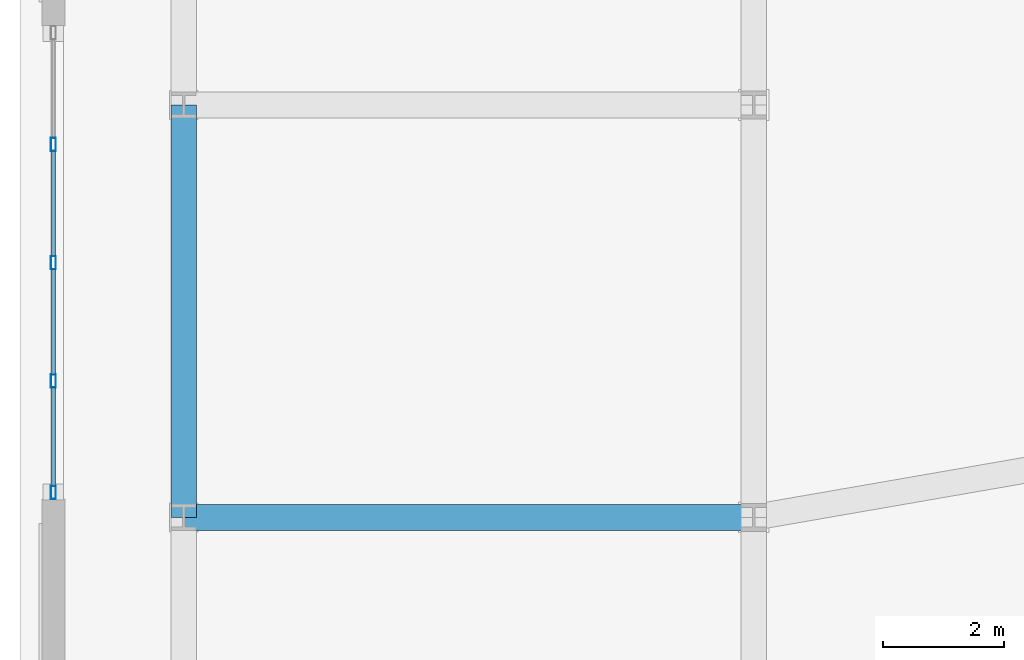
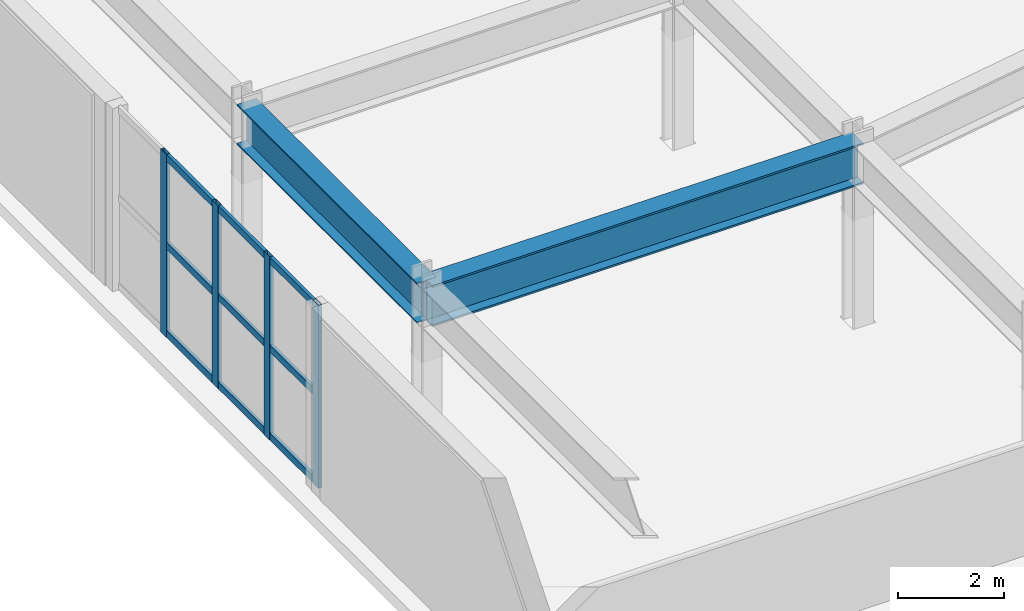
# One storey, part 4 of 21: 13 members, 2 beams, 1 element without a shape of its own.
"""IFC4 building model written with IfcOpenShell, lengths in metres."""

from ifc_helpers import new_model, si_unit, direction, frame, origin, origin_2d, place, context, subcontext, project, spatial, hollow_rectangle, i_section, extrude, material, layer, layer_set, material_profile, profile_set, type_object, element, aggregate, save


model = new_model("IFC4")

# Units and contexts
model_context = context("Model", 3, precision=1e-05, world=origin(), true_north=direction((0.0, 1.0)))
body_context = subcontext(model_context, "Body", "Model", "MODEL_VIEW")
ifc_project = project(units=[si_unit("LENGTHUNIT", "METRE"), si_unit("AREAUNIT", "SQUARE_METRE"), si_unit("VOLUMEUNIT", "CUBIC_METRE"), si_unit("PLANEANGLEUNIT", "RADIAN"), si_unit("MASSUNIT", "GRAM", prefix="KILO")], contexts=[model_context])

# Site, building, storey
site_placement = place(None, origin())
site = spatial("IfcSite", under=ifc_project, at=site_placement, CompositionType="ELEMENT")
building_placement = place(site_placement, origin())
building = spatial("IfcBuilding", under=site, at=building_placement, Name="Oramaril Tower", CompositionType="ELEMENT")
storey_placement = place(building_placement, frame((0.0, 0.0, 5.39990234375)))
storey = spatial("IfcBuildingStorey", under=building, at=storey_placement, Name="L01", CompositionType="ELEMENT", Elevation=5.39990234375)

# Beams
ifc_material_1 = material(Name="Steel ASTM A572 Gr 50", Category="steel")
ifc_material_profile_1 = material_profile(ifc_material_1, i_section(OverallWidth=0.424072265625, OverallDepth=0.947021484375, WebThickness=0.02392578125, FlangeThickness=0.042724609375, at=origin_2d()), Name="W36X302")
ifc_profile_set_1 = profile_set([ifc_material_profile_1], Name="Steel ASTM A572 Gr 50")
beam_type_1 = type_object("IfcBeamType", Name="BT-PG1", PredefinedType="BEAM", material=ifc_profile_set_1)
beam_1_placement = place(storey_placement, frame((-0.800048828125, 18.60009765625, 3.74658203125), z_axis=(1.0, 0.0, 0.0), x_axis=(0.0, 1.0, 0.0)))
element("IfcBeam", 1, at=beam_1_placement, inside=storey, type_object=beam_type_1, Name="L01 Wing Transverse Girder 02", PredefinedType="BEAM", context=body_context, shape_type="SweptSolid", body=[
    extrude(i_section(OverallWidth=0.424072265625, OverallDepth=0.947021484375, WebThickness=0.02392578125, FlangeThickness=0.042724609375, at=origin_2d()), origin(), (0.0, 0.0, 1.0), 9.400146484375),
])
ifc_material_2 = material(Name="Steel ASTM A572 Gr 50", Category="steel")
ifc_material_profile_2 = material_profile(ifc_material_2, i_section(OverallWidth=0.4189453125, OverallDepth=0.927001953125, WebThickness=0.019287109375, FlangeThickness=0.031982421875, at=origin_2d()), Name="W36X231")
ifc_profile_set_2 = profile_set([ifc_material_profile_2], Name="Steel ASTM A572 Gr 50")
beam_type_2 = type_object("IfcBeamType", Name="BT-PG2", PredefinedType="BEAM", material=ifc_profile_set_2)
beam_2_placement = place(storey_placement, frame((-0.800048828125, 18.60009765625, 3.756591796875), z_axis=(0.0, 1.0, 0.0), x_axis=(-1.0, 0.0, 0.0)))
element("IfcBeam", 2, at=beam_2_placement, inside=storey, type_object=beam_type_2, Name="L01 Wing Perimeter Girder 02", PredefinedType="BEAM", context=body_context, shape_type="SweptSolid", body=[
    extrude(i_section(OverallWidth=0.4189453125, OverallDepth=0.927001953125, WebThickness=0.019287109375, FlangeThickness=0.031982421875, at=origin_2d()), origin(), (0.0, 0.0, 1.0), 6.7998046875),
])

# Curtain wall, members
ifc_material_3 = material(Name="Anodised Aluminium 6063-T6", Category="aluminium")
ifc_layer = layer(ifc_material_3, 0.219970703125)
ifc_layer_set = layer_set([ifc_layer], Name="CWT-SYS1")
curtain_wall_type = type_object("IfcCurtainWallType", Name="CWT-SYS1", PredefinedType="NOTDEFINED", material=ifc_layer_set)
curtain_wall_placement = place(storey_placement, origin())
curtain_wall = element("IfcCurtainWall", 3, at=curtain_wall_placement, inside=storey, type_object=curtain_wall_type, Name="L01 Unitised Curtain Wall CW-1", PredefinedType="NOTDEFINED")
ifc_material_4 = material(Name="Anodised Aluminium 6063-T6", Category="aluminium")
ifc_material_profile_3 = material_profile(ifc_material_4, hollow_rectangle(XDim=0.080078125, YDim=0.219970703125, WallThickness=0.00390625, at=origin_2d()), Name="CWM220X80")
ifc_profile_set_3 = profile_set([ifc_material_profile_3], Name="Anodised Aluminium 6063-T6")
member_type_1 = type_object("IfcMemberType", Name="MT-CWM1", PredefinedType="MULLION", material=ifc_profile_set_3)
member_1_placement = place(storey_placement, frame((-2.949951171875, 24.75, 0.0), z_axis=(0.0, 0.0, 1.0), x_axis=(1.0, 0.0, 0.0)))
member_1 = element("IfcMember", 4, at=member_1_placement, type_object=member_type_1, Name="CW-1 mullion 2", PredefinedType="MULLION", context=body_context, shape_type="SweptSolid", body=[
    extrude(hollow_rectangle(XDim=0.080078125, YDim=0.219970703125, WallThickness=0.00390625, at=origin_2d()), origin(), (0.0, 0.0, 1.0), 4.22021484375),
])
member_2_placement = place(storey_placement, frame((-2.949951171875, 22.800048828125, 0.0), z_axis=(0.0, 0.0, 1.0), x_axis=(1.0, 0.0, 0.0)))
member_2 = element("IfcMember", 5, at=member_2_placement, type_object=member_type_1, Name="CW-1 mullion 3", PredefinedType="MULLION", context=body_context, shape_type="SweptSolid", body=[
    extrude(hollow_rectangle(XDim=0.080078125, YDim=0.219970703125, WallThickness=0.00390625, at=origin_2d()), origin(), (0.0, 0.0, 1.0), 4.22021484375),
])
member_3_placement = place(storey_placement, frame((-2.949951171875, 20.85009765625, 0.0), z_axis=(0.0, 0.0, 1.0), x_axis=(1.0, 0.0, 0.0)))
member_3 = element("IfcMember", 6, at=member_3_placement, type_object=member_type_1, Name="CW-1 mullion 4", PredefinedType="MULLION", context=body_context, shape_type="SweptSolid", body=[
    extrude(hollow_rectangle(XDim=0.080078125, YDim=0.219970703125, WallThickness=0.00390625, at=origin_2d()), origin(), (0.0, 0.0, 1.0), 4.22021484375),
])
member_4_placement = place(storey_placement, frame((-2.949951171875, 19.010009765625, 0.0), z_axis=(0.0, 0.0, 1.0), x_axis=(1.0, 0.0, 0.0)))
member_4 = element("IfcMember", 7, at=member_4_placement, type_object=member_type_1, Name="CW-1 mullion 5", PredefinedType="MULLION", context=body_context, shape_type="SweptSolid", body=[
    extrude(hollow_rectangle(XDim=0.080078125, YDim=0.219970703125, WallThickness=0.00390625, at=origin_2d()), origin(), (0.0, 0.0, 1.0), 4.22021484375),
])
ifc_material_5 = material(Name="Anodised Aluminium 6063-T6", Category="aluminium")
ifc_material_profile_4 = material_profile(ifc_material_5, hollow_rectangle(XDim=0.070068359375, YDim=0.159912109375, WallThickness=0.00390625, at=origin_2d()), Name="CWT160X70")
ifc_profile_set_4 = profile_set([ifc_material_profile_4], Name="Anodised Aluminium 6063-T6")
member_type_2 = type_object("IfcMemberType", Name="MT-CWT1", PredefinedType="USERDEFINED", material=ifc_profile_set_4)
member_5_placement = place(storey_placement, frame((-2.949951171875, 24.639892578125, 0.080078125), z_axis=(0.0, -1.0, 0.0), x_axis=(1.0, 0.0, 0.0)))
member_5 = element("IfcMember", 8, at=member_5_placement, type_object=member_type_2, Name="CW-1 transom 2.1", ObjectType="TRANSOM", PredefinedType="USERDEFINED", context=body_context, shape_type="SweptSolid", body=[
    extrude(hollow_rectangle(XDim=0.070068359375, YDim=0.159912109375, WallThickness=0.00390625, at=origin_2d()), origin(), (0.0, 0.0, 1.0), 1.72998046875),
])
member_6_placement = place(storey_placement, frame((-2.949951171875, 24.639892578125, 2.110107421875), z_axis=(0.0, -1.0, 0.0), x_axis=(1.0, 0.0, 0.0)))
member_6 = element("IfcMember", 9, at=member_6_placement, type_object=member_type_2, Name="CW-1 transom 2.2", ObjectType="TRANSOM", PredefinedType="USERDEFINED", context=body_context, shape_type="SweptSolid", body=[
    extrude(hollow_rectangle(XDim=0.070068359375, YDim=0.159912109375, WallThickness=0.00390625, at=origin_2d()), origin(), (0.0, 0.0, 1.0), 1.72998046875),
])
member_7_placement = place(storey_placement, frame((-2.949951171875, 24.639892578125, 4.14013671875), z_axis=(0.0, -1.0, 0.0), x_axis=(1.0, 0.0, 0.0)))
member_7 = element("IfcMember", 10, at=member_7_placement, type_object=member_type_2, Name="CW-1 transom 2.3", ObjectType="TRANSOM", PredefinedType="USERDEFINED", context=body_context, shape_type="SweptSolid", body=[
    extrude(hollow_rectangle(XDim=0.070068359375, YDim=0.159912109375, WallThickness=0.00390625, at=origin_2d()), origin(), (0.0, 0.0, 1.0), 1.72998046875),
])
member_8_placement = place(storey_placement, frame((-2.949951171875, 22.68994140625, 0.080078125), z_axis=(0.0, -1.0, 0.0), x_axis=(1.0, 0.0, 0.0)))
member_8 = element("IfcMember", 11, at=member_8_placement, type_object=member_type_2, Name="CW-1 transom 3.1", ObjectType="TRANSOM", PredefinedType="USERDEFINED", context=body_context, shape_type="SweptSolid", body=[
    extrude(hollow_rectangle(XDim=0.070068359375, YDim=0.159912109375, WallThickness=0.00390625, at=origin_2d()), origin(), (0.0, 0.0, 1.0), 1.72998046875),
])
member_9_placement = place(storey_placement, frame((-2.949951171875, 22.68994140625, 2.110107421875), z_axis=(0.0, -1.0, 0.0), x_axis=(1.0, 0.0, 0.0)))
member_9 = element("IfcMember", 12, at=member_9_placement, type_object=member_type_2, Name="CW-1 transom 3.2", ObjectType="TRANSOM", PredefinedType="USERDEFINED", context=body_context, shape_type="SweptSolid", body=[
    extrude(hollow_rectangle(XDim=0.070068359375, YDim=0.159912109375, WallThickness=0.00390625, at=origin_2d()), origin(), (0.0, 0.0, 1.0), 1.72998046875),
])
member_10_placement = place(storey_placement, frame((-2.949951171875, 22.68994140625, 4.14013671875), z_axis=(0.0, -1.0, 0.0), x_axis=(1.0, 0.0, 0.0)))
member_10 = element("IfcMember", 13, at=member_10_placement, type_object=member_type_2, Name="CW-1 transom 3.3", ObjectType="TRANSOM", PredefinedType="USERDEFINED", context=body_context, shape_type="SweptSolid", body=[
    extrude(hollow_rectangle(XDim=0.070068359375, YDim=0.159912109375, WallThickness=0.00390625, at=origin_2d()), origin(), (0.0, 0.0, 1.0), 1.72998046875),
])
member_11_placement = place(storey_placement, frame((-2.949951171875, 20.739990234375, 0.080078125), z_axis=(0.0, -1.0, 0.0), x_axis=(1.0, 0.0, 0.0)))
member_11 = element("IfcMember", 14, at=member_11_placement, type_object=member_type_2, Name="CW-1 transom 4.1", ObjectType="TRANSOM", PredefinedType="USERDEFINED", context=body_context, shape_type="SweptSolid", body=[
    extrude(hollow_rectangle(XDim=0.070068359375, YDim=0.159912109375, WallThickness=0.00390625, at=origin_2d()), origin(), (0.0, 0.0, 1.0), 1.619873046875),
])
member_12_placement = place(storey_placement, frame((-2.949951171875, 20.739990234375, 2.110107421875), z_axis=(0.0, -1.0, 0.0), x_axis=(1.0, 0.0, 0.0)))
member_12 = element("IfcMember", 15, at=member_12_placement, type_object=member_type_2, Name="CW-1 transom 4.2", ObjectType="TRANSOM", PredefinedType="USERDEFINED", context=body_context, shape_type="SweptSolid", body=[
    extrude(hollow_rectangle(XDim=0.070068359375, YDim=0.159912109375, WallThickness=0.00390625, at=origin_2d()), origin(), (0.0, 0.0, 1.0), 1.619873046875),
])
member_13_placement = place(storey_placement, frame((-2.949951171875, 20.739990234375, 4.14013671875), z_axis=(0.0, -1.0, 0.0), x_axis=(1.0, 0.0, 0.0)))
member_13 = element("IfcMember", 16, at=member_13_placement, type_object=member_type_2, Name="CW-1 transom 4.3", ObjectType="TRANSOM", PredefinedType="USERDEFINED", context=body_context, shape_type="SweptSolid", body=[
    extrude(hollow_rectangle(XDim=0.070068359375, YDim=0.159912109375, WallThickness=0.00390625, at=origin_2d()), origin(), (0.0, 0.0, 1.0), 1.619873046875),
])
aggregate(curtain_wall, [member_1, member_2, member_3, member_4, member_5, member_6, member_7, member_8, member_9, member_10, member_11, member_12, member_13])

save(model, "model.ifc")
